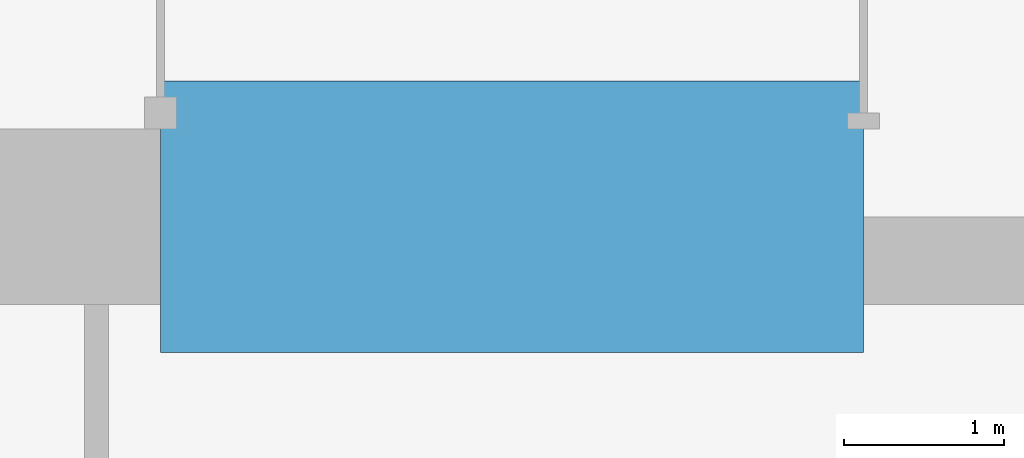
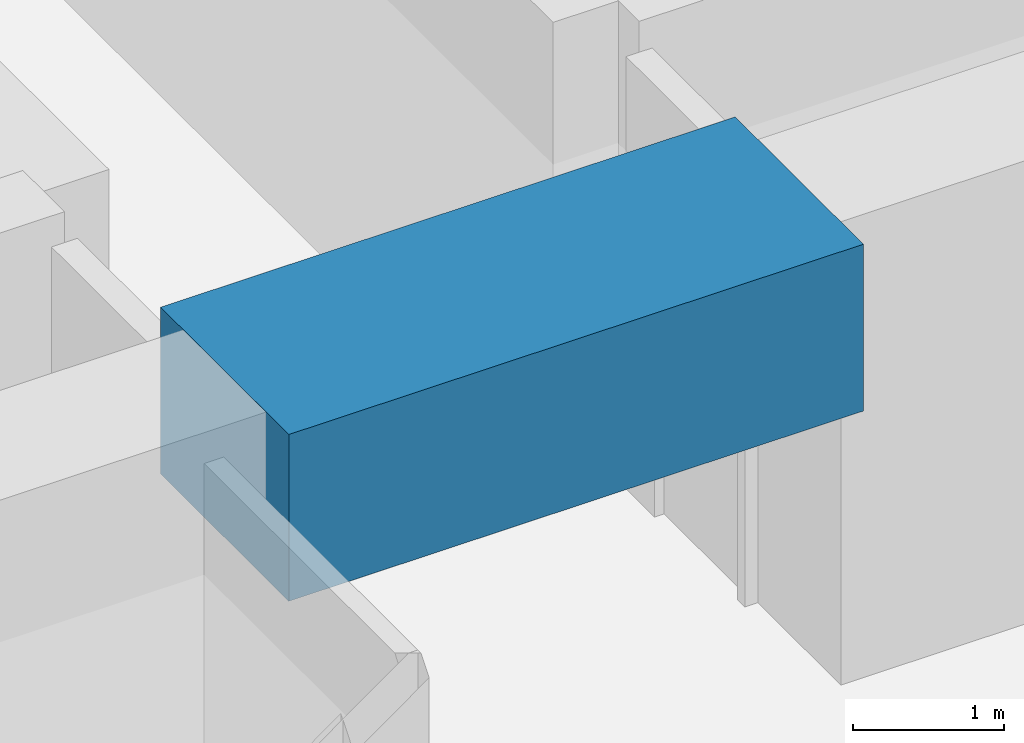
# One storey, part 13 of 44: 1 beam.
"""IFC4 building model written with IfcOpenShell, lengths in metres."""

from ifc_helpers import new_model, si_unit, direction, frame, origin, origin_2d, place, context, subcontext, project, spatial, rectangle, extrude, material, material_profile, profile_set, type_object, element, save


model = new_model("IFC4")

# Units and contexts
model_context = context("Model", 3, precision=1e-05, world=origin(), true_north=direction((0.0, 1.0)))
body_context = subcontext(model_context, "Body", "Model", "MODEL_VIEW")
ifc_project = project(units=[si_unit("LENGTHUNIT", "METRE"), si_unit("AREAUNIT", "SQUARE_METRE"), si_unit("VOLUMEUNIT", "CUBIC_METRE"), si_unit("PLANEANGLEUNIT", "RADIAN"), si_unit("MASSUNIT", "GRAM", prefix="KILO")], contexts=[model_context])

# Site, building, storey
site_placement = place(None, origin())
site = spatial("IfcSite", under=ifc_project, at=site_placement, CompositionType="ELEMENT")
building_placement = place(site_placement, origin())
building = spatial("IfcBuilding", under=site, at=building_placement, Name="Rekha Terrace Tower", CompositionType="ELEMENT")
storey_placement = place(building_placement, frame((0.0, 0.0, 74.14990234375)))
storey = spatial("IfcBuildingStorey", under=building, at=storey_placement, Name="L18", CompositionType="ELEMENT", Elevation=74.14990234375)

# Beam
ifc_material = material(Name="Concrete M70", Category="concrete")
ifc_material_profile = material_profile(ifc_material, rectangle(XDim=1.699951171875, YDim=1.35009765625, at=origin_2d()), Name="RC 1700x1350")
ifc_profile_set = profile_set([ifc_material_profile], Name="Concrete M70")
beam_type = type_object("IfcBeamType", Name="LB1A 1700x1350 diagonally reinforced coupling beam", PredefinedType="LINTEL", material=ifc_profile_set)
beam_placement = place(storey_placement, frame((35.60009765625, 21.0, 3.0751953125), z_axis=(1.0, 0.0, 0.0), x_axis=(0.0, 1.0, 0.0)))
element("IfcBeam", 1, at=beam_placement, inside=storey, type_object=beam_type, Name="Coupling beam LB1A S L18", PredefinedType="LINTEL", context=body_context, shape_type="SweptSolid", body=[
    extrude(rectangle(XDim=1.699951171875, YDim=1.35009765625, at=origin_2d()), origin(), (0.0, 0.0, 1.0), 4.39990234375),
])

save(model, "model.ifc")
